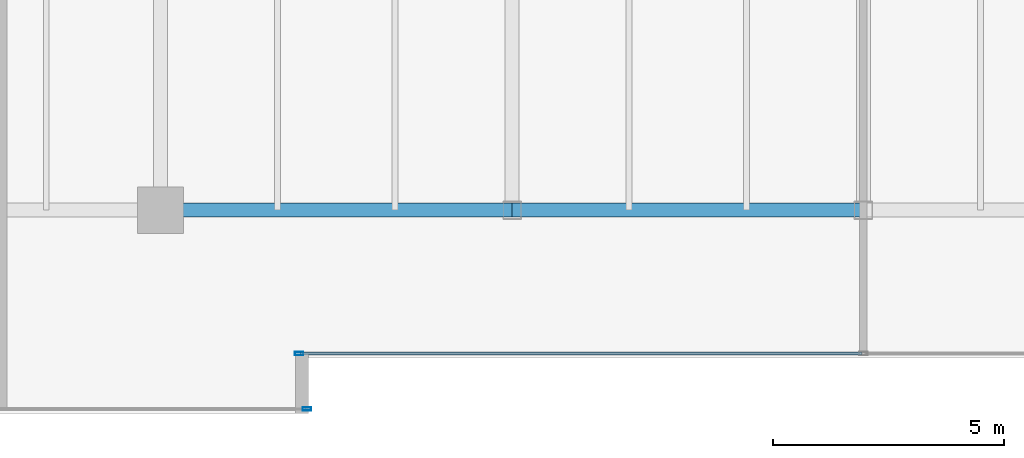
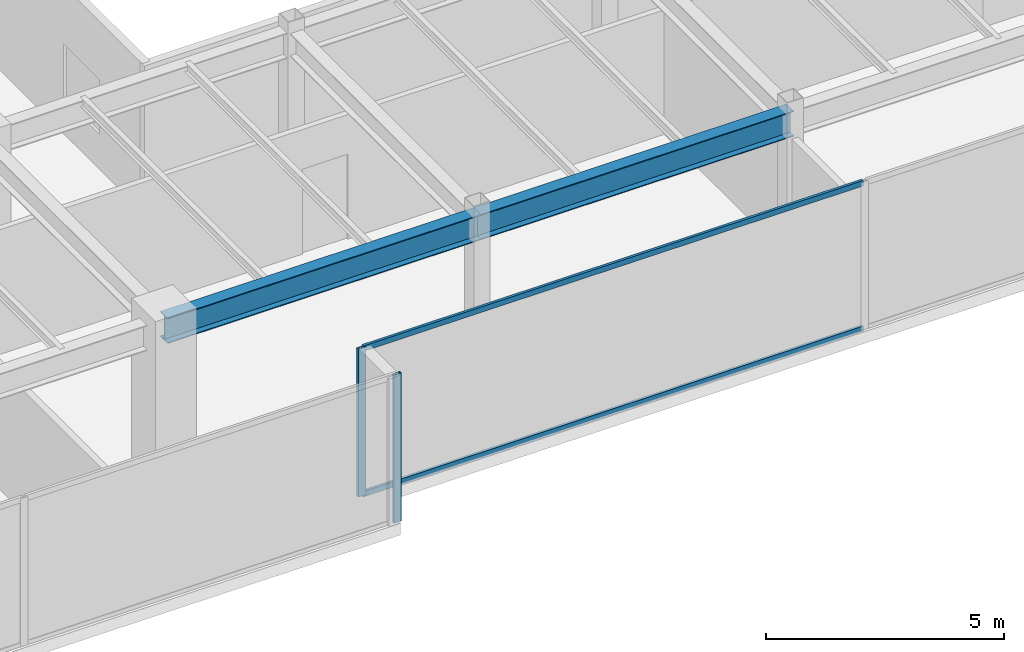
# One storey, part 7 of 33: 4 members, 2 beams, 2 elements without a shape of their own.
"""IFC4 building model written with IfcOpenShell, lengths in metres."""

from ifc_helpers import new_model, si_unit, direction, frame, origin, origin_2d, place, context, subcontext, project, spatial, hollow_rectangle, i_section, extrude, source, transform, mapped, material, layer, layer_set, material_profile, profile_set, type_object, type_shapes, element, aggregate, save


model = new_model("IFC4")

# Units and contexts
model_context = context("Model", 3, precision=1e-05, world=origin(), true_north=direction((0.0, 1.0)))
body_context = subcontext(model_context, "Body", "Model", "MODEL_VIEW")
ifc_project = project(units=[si_unit("LENGTHUNIT", "METRE"), si_unit("AREAUNIT", "SQUARE_METRE"), si_unit("VOLUMEUNIT", "CUBIC_METRE"), si_unit("PLANEANGLEUNIT", "RADIAN"), si_unit("MASSUNIT", "GRAM", prefix="KILO")], contexts=[model_context])

# Site, building, storey
site_placement = place(None, origin())
site = spatial("IfcSite", under=ifc_project, at=site_placement, CompositionType="ELEMENT")
building_placement = place(site_placement, origin())
building = spatial("IfcBuilding", under=site, at=building_placement, Name="Haelvirn Gate Laboratories", CompositionType="ELEMENT")
storey_placement = place(building_placement, frame((0.0, 0.0, 258.800048828125)))
storey = spatial("IfcBuildingStorey", under=building, at=storey_placement, Name="L62", CompositionType="ELEMENT", Elevation=258.800048828125)

# Beams
ifc_material_1 = material(Name="Steel SM355", Category="steel")
ifc_material_profile_1 = material_profile(ifc_material_1, i_section(OverallWidth=0.300048828125, OverallDepth=0.64990234375, WebThickness=0.012939453125, FlangeThickness=0.02197265625, at=origin_2d()), Name="H-650x300x13x22")
ifc_profile_set_1 = profile_set([ifc_material_profile_1], Name="Steel SM355")
beam_type = type_object("IfcBeamType", Name="BM-G-650", PredefinedType="BEAM", material=ifc_profile_set_1)
shared_shape_1 = source(origin(), body_context, "Body", "SweptSolid", [
    extrude(i_section(OverallWidth=0.300048828125, OverallDepth=0.64990234375, WebThickness=0.012939453125, FlangeThickness=0.02197265625, at=origin_2d()), origin(), (0.0, 0.0, 1.0), 7.60009765625),
])
beam_1_placement = place(storey_placement, frame((22.199951171875, 7.0, 3.474853515625), z_axis=(1.0, 0.0, 0.0), x_axis=(0.0, 1.0, 0.0)))
element("IfcBeam", 1, at=beam_1_placement, inside=storey, type_object=beam_type, Name="L62 Primary Girder Y7.0 (22.2-29.8)", PredefinedType="BEAM", context=body_context, shape_type="MappedRepresentation", body=[
    mapped(shared_shape_1, transform((0.0, 0.0, 0.0), scale=1.0)),
])
shared_shape_2 = source(origin(), body_context, "Body", "SweptSolid", [
    extrude(i_section(OverallWidth=0.300048828125, OverallDepth=0.64990234375, WebThickness=0.012939453125, FlangeThickness=0.02197265625, at=origin_2d()), origin(), (0.0, 0.0, 1.0), 7.599853515625),
])
type_shapes(beam_type, [shared_shape_1, shared_shape_2])
beam_2_placement = place(storey_placement, frame((29.800048828125, 7.0, 3.474853515625), z_axis=(1.0, 0.0, 0.0), x_axis=(0.0, 1.0, 0.0)))
element("IfcBeam", 2, at=beam_2_placement, inside=storey, type_object=beam_type, Name="L62 Primary Girder Y7.0 (29.8-37.4)", PredefinedType="BEAM", context=body_context, shape_type="MappedRepresentation", body=[
    mapped(shared_shape_2, transform((0.0, 0.0, 0.0), scale=1.0)),
])

# Curtain wall, members
ifc_material_2 = material(Name="Anodised bronze unitised aluminium & triple low-E glass", Category="aluminium")
ifc_layer = layer(ifc_material_2, 0.176025390625, Name="CW-SYS-4")
ifc_layer_set = layer_set([ifc_layer], Name="Anodised bronze unitised aluminium & triple low-E glass")
curtain_wall_type = type_object("IfcCurtainWallType", Name="CW-SYS-4", PredefinedType="NOTDEFINED", material=ifc_layer_set)
curtain_wall_1_placement = place(storey_placement, origin())
curtain_wall_1 = element("IfcCurtainWall", 3, at=curtain_wall_1_placement, inside=storey, type_object=curtain_wall_type, Name="L62 Unitised Curtain Wall CW-L62-P0-E02-1", PredefinedType="NOTDEFINED")
ifc_material_3 = material(Name="Extruded aluminium 6063-T6 (anodised bronze)", Category="aluminium")
ifc_material_profile_2 = material_profile(ifc_material_3, hollow_rectangle(XDim=0.06494140625, YDim=0.139892578125, WallThickness=0.00390625, at=origin_2d()), Name="CWT-140x65x4")
ifc_profile_set_2 = profile_set([ifc_material_profile_2], Name="Extruded aluminium 6063-T6 (anodised bronze)")
member_type_1 = type_object("IfcMemberType", Name="CWT-T140", PredefinedType="USERDEFINED", material=ifc_profile_set_2)
shared_shape_3 = source(origin(), body_context, "Body", "SweptSolid", [
    extrude(hollow_rectangle(XDim=0.06494140625, YDim=0.139892578125, WallThickness=0.00390625, at=origin_2d()), origin(), (0.0, 0.0, 1.0), 12.135009765625),
])
type_shapes(member_type_1, [shared_shape_3])
member_1_placement = place(storey_placement, frame((25.22998046875, 3.89990234375, 0.032470703125), z_axis=(1.0, 0.0, 0.0), x_axis=(0.0, 1.0, 0.0)))
member_1 = element("IfcMember", 4, at=member_1_placement, type_object=member_type_1, Name="CW4 transom 1.1", ObjectType="TRANSOM", PredefinedType="USERDEFINED", context=body_context, shape_type="MappedRepresentation", body=[
    mapped(shared_shape_3, transform((0.0, 0.0, 0.0), scale=1.0)),
])
member_2_placement = place(storey_placement, frame((25.22998046875, 3.89990234375, 3.767333984375), z_axis=(1.0, 0.0, 0.0), x_axis=(0.0, 1.0, 0.0)))
member_2 = element("IfcMember", 5, at=member_2_placement, type_object=member_type_1, Name="CW4 transom 1.2", ObjectType="TRANSOM", PredefinedType="USERDEFINED", context=body_context, shape_type="MappedRepresentation", body=[
    mapped(shared_shape_3, transform((0.0, 0.0, 0.0), scale=1.0)),
])

# Curtain wall, member
curtain_wall_2_placement = place(storey_placement, origin())
curtain_wall_2 = element("IfcCurtainWall", 6, at=curtain_wall_2_placement, inside=storey, type_object=curtain_wall_type, Name="L62 Unitised Curtain Wall CW-L62-P0-E00-1", PredefinedType="NOTDEFINED")
ifc_material_profile_3 = material_profile(ifc_material_3, hollow_rectangle(XDim=0.070068359375, YDim=0.179931640625, WallThickness=0.0048828125, at=origin_2d()), Name="CWM-180x70x5")
ifc_profile_set_3 = profile_set([ifc_material_profile_3], Name="Extruded aluminium 6063-T6 (anodised bronze)")
member_type_2 = type_object("IfcMemberType", Name="CWM-T180", PredefinedType="MULLION", material=ifc_profile_set_3)
shared_shape_4 = source(origin(), body_context, "Body", "SweptSolid", [
    extrude(hollow_rectangle(XDim=0.070068359375, YDim=0.179931640625, WallThickness=0.0048828125, at=origin_2d()), origin(), (0.0, 0.0, 1.0), 3.800048828125),
])
type_shapes(member_type_2, [shared_shape_4])
member_3_placement = place(storey_placement, frame((25.364990234375, 2.699951171875, 0.0), z_axis=(0.0, 0.0, 1.0), x_axis=(0.0, 1.0, 0.0)))
member_3 = element("IfcMember", 7, at=member_3_placement, type_object=member_type_2, Name="CW4 mullion 3", PredefinedType="MULLION", context=body_context, shape_type="MappedRepresentation", body=[
    mapped(shared_shape_4, transform((0.0, 0.0, 0.0), scale=1.0)),
])
aggregate(curtain_wall_2, [member_3])

# Member
member_4_placement = place(storey_placement, frame((25.195068359375, 3.89990234375, 0.0), z_axis=(0.0, 0.0, 1.0), x_axis=(0.0, 1.0, 0.0)))
member_4 = element("IfcMember", 8, at=member_4_placement, type_object=member_type_2, Name="CW4 mullion 1", PredefinedType="MULLION", context=body_context, shape_type="MappedRepresentation", body=[
    mapped(shared_shape_4, transform((0.0, 0.0, 0.0), scale=1.0)),
])

aggregate(curtain_wall_1, [member_4, member_1, member_2])

save(model, "model.ifc")
